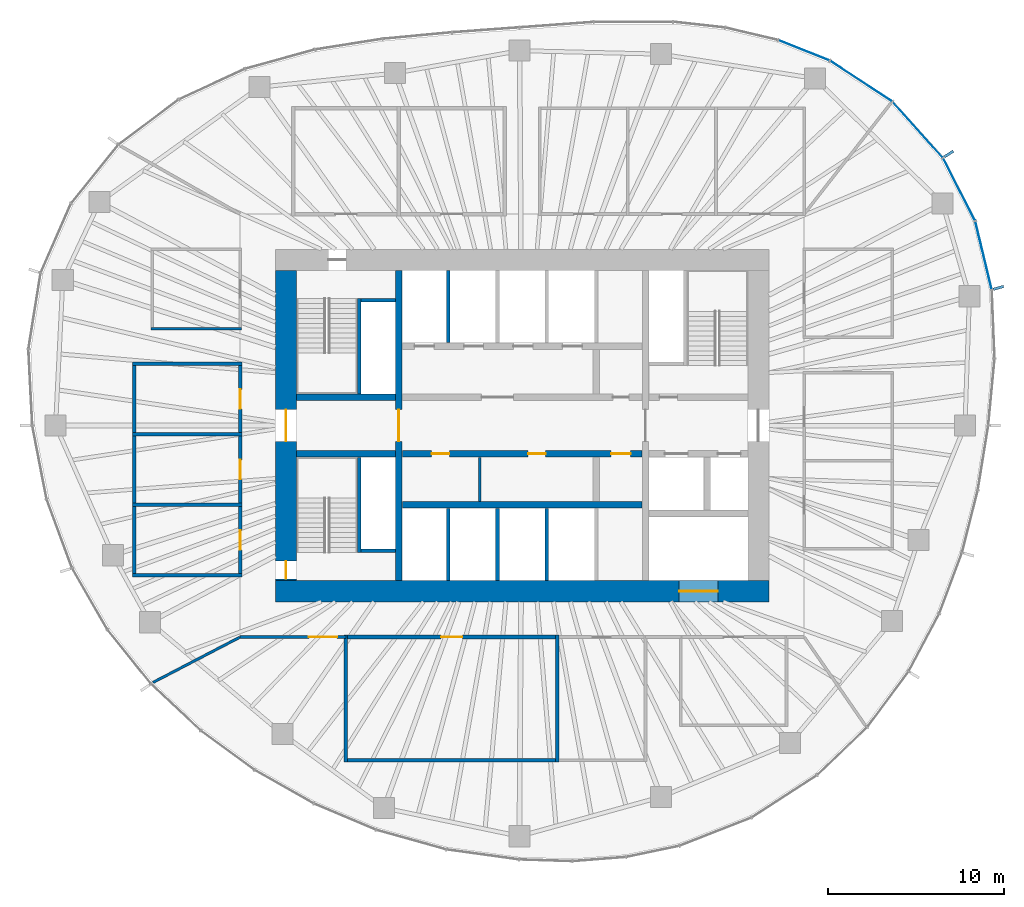
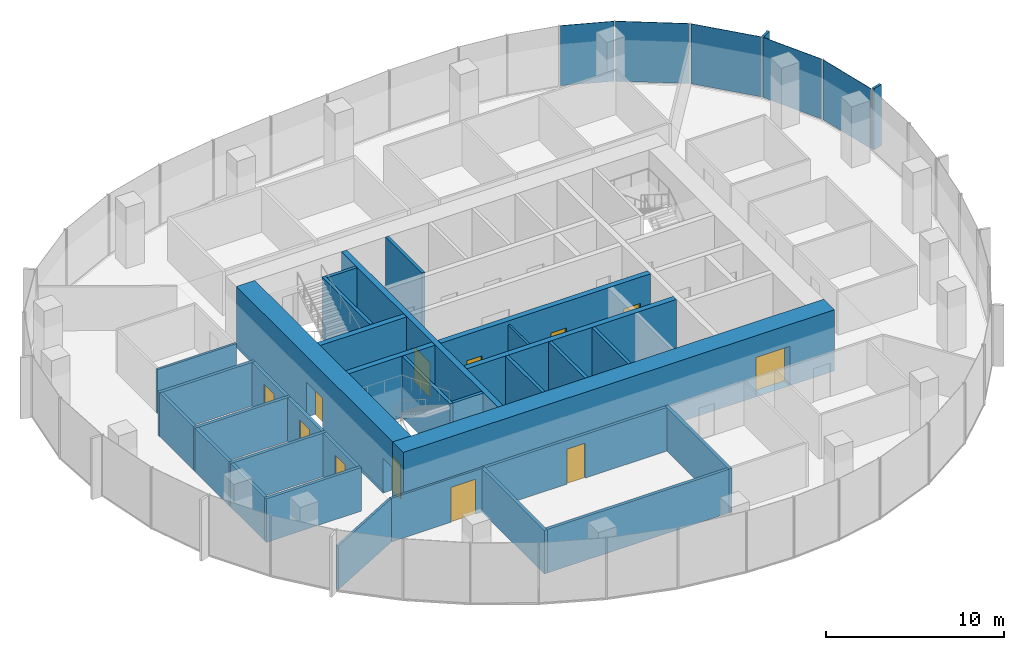
# One storey, part 8 of 11: 33 walls, 12 doors, 7 plates, 12 openings, 3 elements without a shape of their own.
"""IFC4 building model written with IfcOpenShell, lengths in metres."""

from ifc_helpers import new_model, si_unit, direction, frame, frame_2d, origin, origin_2d, place, context, subcontext, project, spatial, rectangle, extrude, material, layer, layer_set, type_object, element, fill, aggregate, save


model = new_model("IFC4")

# Units and contexts
model_context = context("Model", 3, precision=1e-05, world=origin(), true_north=direction((0.0, 1.0)))
body_context = subcontext(model_context, "Body", "Model", "MODEL_VIEW")
ifc_project = project(units=[si_unit("LENGTHUNIT", "METRE"), si_unit("AREAUNIT", "SQUARE_METRE"), si_unit("VOLUMEUNIT", "CUBIC_METRE"), si_unit("PLANEANGLEUNIT", "RADIAN"), si_unit("MASSUNIT", "GRAM", prefix="KILO")], contexts=[model_context])

# Site, building, storey
site_placement = place(None, origin())
site = spatial("IfcSite", under=ifc_project, at=site_placement, CompositionType="ELEMENT")
building_placement = place(site_placement, origin())
building = spatial("IfcBuilding", under=site, at=building_placement, Name="Ghaith Harvest Tower", CompositionType="ELEMENT")
storey_placement = place(building_placement, frame((0.0, 0.0, 241.0)))
storey = spatial("IfcBuildingStorey", under=building, at=storey_placement, Name="L53", CompositionType="ELEMENT", Elevation=241.0)

# Curtain wall, plates
ifc_material_1 = material(Name="Black anodised aluminium and fritted glass", Category="aluminium")
curtain_wall_type = type_object("IfcCurtainWallType", Name="CW-H CURTAIN WALL", PredefinedType="NOTDEFINED", material=ifc_material_1)
curtain_wall_1_placement = place(storey_placement, origin())
curtain_wall_1 = element("IfcCurtainWall", 1, at=curtain_wall_1_placement, inside=storey, type_object=curtain_wall_type, Name="Curtain wall CW-H bay 02 L53", PredefinedType="NOTDEFINED")
ifc_material_2 = material(Name="Glass, dark solar-control fritted double glazed unit", Category="glass")
ifc_layer_1 = layer(ifc_material_2, 0.030029296875)
ifc_layer_set_1 = layer_set([ifc_layer_1], Name="CW-H VISION PANEL")
plate_type_1 = type_object("IfcPlateType", Name="CW-H VISION PANEL", PredefinedType="CURTAIN_PANEL", material=ifc_layer_set_1)
plate_1_placement = place(storey_placement, frame((26.1767578125, 9.6533203125, 0.079833984375), z_axis=(0.0, 0.0, 1.0), x_axis=(-0.233894000303, 0.972262102842, 0.0)))
plate_1 = element("IfcPlate", 2, at=plate_1_placement, type_object=plate_type_1, Name="CW-H glass unit 1 bay 02 L53", PredefinedType="CURTAIN_PANEL", context=body_context, shape_type="SweptSolid", body=[
    extrude(rectangle(XDim=3.935546875, YDim=0.030029296875, at=origin_2d()), origin(), (0.0, 0.0, 1.0), 4.1201171875),
])
plate_2_placement = place(storey_placement, frame((24.790771484375, 13.399658203125, 0.079833984375), z_axis=(0.0, 0.0, 1.0), x_axis=(-0.454915320985, 0.890534699342, 0.0)))
plate_2 = element("IfcPlate", 3, at=plate_2_placement, type_object=plate_type_1, Name="CW-H glass unit 2 bay 02 L53", PredefinedType="CURTAIN_PANEL", context=body_context, shape_type="SweptSolid", body=[
    extrude(rectangle(XDim=3.949462890625, YDim=0.030029296875, at=origin_2d()), origin(), (0.0, 0.0, 1.0), 4.1201171875),
])
aggregate(curtain_wall_1, [plate_1, plate_2])

curtain_wall_2_placement = place(storey_placement, origin())
curtain_wall_2 = element("IfcCurtainWall", 4, at=curtain_wall_2_placement, inside=storey, type_object=curtain_wall_type, Name="Curtain wall CW-H bay 03 L53", PredefinedType="NOTDEFINED")
plate_3_placement = place(storey_placement, frame((22.44384765625, 16.783935546875, 0.079833984375), z_axis=(0.0, 0.0, 1.0), x_axis=(-0.668757736889, 0.743480389352, 0.0)))
plate_3 = element("IfcPlate", 5, at=plate_3_placement, type_object=plate_type_1, Name="CW-H glass unit 1 bay 03 L53", PredefinedType="CURTAIN_PANEL", context=body_context, shape_type="SweptSolid", body=[
    extrude(rectangle(XDim=4.19775390625, YDim=0.030029296875, at=origin_2d()), origin(), (0.0, 0.0, 1.0), 4.1201171875),
])
plate_4_placement = place(storey_placement, frame((19.236328125, 19.539306640625, 0.079833984375), z_axis=(0.0, 0.0, 1.0), x_axis=(-0.836276741583, 0.548307588392, 0.0)))
plate_4 = element("IfcPlate", 6, at=plate_4_placement, type_object=plate_type_1, Name="CW-H glass unit 2 bay 03 L53", PredefinedType="CURTAIN_PANEL", context=body_context, shape_type="SweptSolid", body=[
    extrude(rectangle(XDim=4.169677734375, YDim=0.030029296875, at=origin_2d()), origin(), (0.0, 0.0, 1.0), 4.1201171875),
])
aggregate(curtain_wall_2, [plate_3, plate_4])

# Curtain wall, plate
curtain_wall_3_placement = place(storey_placement, origin())
curtain_wall_3 = element("IfcCurtainWall", 7, at=curtain_wall_3_placement, inside=storey, type_object=curtain_wall_type, Name="Curtain wall CW-H bay 04 L53", PredefinedType="NOTDEFINED")
plate_5_placement = place(storey_placement, frame((15.993408203125, 21.287841796875, 0.079833984375), z_axis=(0.0, 0.0, 1.0), x_axis=(-0.929107322045, 0.369810200133, 0.0)))
plate_5 = element("IfcPlate", 8, at=plate_5_placement, type_object=plate_type_1, Name="CW-H glass unit 1 bay 04 L53", PredefinedType="CURTAIN_PANEL", context=body_context, shape_type="SweptSolid", body=[
    extrude(rectangle(XDim=3.075927734375, YDim=0.030029296875, at=origin_2d()), origin(), (0.0, 0.0, 1.0), 4.1201171875),
])
aggregate(curtain_wall_3, [plate_5])

# Plates
ifc_material_3 = material(Name="Glassfibre-reinforced concrete", Category="concrete")
ifc_layer_2 = layer(ifc_material_3, 0.14990234375)
ifc_layer_set_2 = layer_set([ifc_layer_2], Name="SUN-BREAKER FIN 600x150")
plate_type_2 = type_object("IfcPlateType", Name="SUN-BREAKER FIN 600x150", PredefinedType="USERDEFINED", material=ifc_layer_set_2)
for number, where, z_axis, x_axis, name in (
    (9, (27.03076171875, 7.8125, 0.0), (0.0, 0.0, 1.0), (0.960680349985, 0.277656739792, 0.0), "Sun-breaker fin CW-H 1 bay 02 L53"),
    (10, (24.211669921875, 15.408447265625, 0.0), (0.0, 0.0, 1.0), (0.843643971464, 0.536903016766, 0.0), "Sun-breaker fin CW-H 1 bay 03 L53"),
):
    element("IfcPlate", number, at=place(storey_placement, frame(where, z_axis=z_axis, x_axis=x_axis)), inside=storey, type_object=plate_type_2, Name=name, ObjectType="SUN-BREAKER FIN", PredefinedType="USERDEFINED", context=body_context, shape_type="SweptSolid", body=[
        extrude(rectangle(XDim=0.60009765625, YDim=0.14990234375, at=origin_2d()), origin(), (0.0, 0.0, 1.0), 4.199951171875),
    ])

# Walls
ifc_material_4 = material(Name="Twin-stud gypsum board, acoustic", Category="gypsum")
ifc_layer_3 = layer(ifc_material_4, 0.199951171875)
ifc_layer_set_3 = layer_set([ifc_layer_3], Name="ACOUSTIC PARTITION 200")
wall_type_1 = type_object("IfcWallType", Name="ACOUSTIC PARTITION 200", PredefinedType="PARTITIONING", material=ifc_layer_set_3)
for number, where, z_axis, x_axis, name in (
    (11, (-10.0, -11.89990234375, 0.0), (0.0, 0.0, 1.0), (0.0, -1.0, 0.0), "Partition L53 row S1 cross wall 1"),
    (12, (2.0, -11.89990234375, 0.0), (0.0, 0.0, 1.0), (0.0, -1.0, 0.0), "Partition L53 row S1 cross wall 2"),
):
    element("IfcWall", number, at=place(storey_placement, frame(where, z_axis=z_axis, x_axis=x_axis)), inside=storey, type_object=wall_type_1, Name=name, PredefinedType="PARTITIONING", context=body_context, shape_type="SweptSolid", body=[
        extrude(rectangle(XDim=7.2001953125, YDim=0.199951171875, at=frame_2d((3.60009765625, 0.0))), origin(), (0.0, 0.0, 1.0), 3.0),
    ])

# Wall, opening, door
wall_1_placement = place(storey_placement, frame((-9.89990234375, -12.0, 0.0), z_axis=(0.0, 0.0, 1.0), x_axis=(1.0, 0.0, 0.0)))
wall_1 = element("IfcWall", 13, at=wall_1_placement, inside=storey, type_object=wall_type_1, Name="Partition L53-01", PredefinedType="PARTITIONING", context=body_context, shape_type="SweptSolid", body=[
    extrude(rectangle(XDim=11.7998046875, YDim=0.199951171875, at=frame_2d((5.89990234375, 0.0))), origin(), (0.0, 0.0, 1.0), 3.0),
])
opening_1_placement = place(wall_1_placement, frame((5.300048828125, 0.0, 0.0)))
opening_1 = element("IfcOpeningElement", 14, at=opening_1_placement, cuts=wall_1, Name="Opening 53-020", PredefinedType="OPENING", context=body_context, shape_type="SweptSolid", body=[
    extrude(rectangle(XDim=1.199951171875, YDim=2.39990234375, at=frame_2d((0.60009765625, 1.199951171875))), frame((0.0, 0.10986328125, 0.0), z_axis=(0.0, -1.0, 0.0), x_axis=(1.0, 0.0, 0.0)), (0.0, 0.0, 1.0), 0.219970703125),
])
ifc_material_5 = material(Name="Timber door", Category="wood")
door_type_1 = type_object("IfcDoorType", Name="D11 GLAZED 1200x2400", OperationType="SINGLE_SWING_LEFT", PredefinedType="DOOR", material=ifc_material_5)
door_1_placement = place(opening_1_placement, origin())
door_1 = element("IfcDoor", 15, at=door_1_placement, inside=storey, type_object=door_type_1, Name="Photo studio door", OperationType="SINGLE_SWING_LEFT", OverallHeight=2.39990234375, OverallWidth=1.199951171875, PredefinedType="DOOR", context=body_context, shape_type="SweptSolid", body=[
    extrude(rectangle(XDim=1.199951171875, YDim=2.39990234375, at=frame_2d((0.60009765625, 1.199951171875))), frame((0.0, 0.02490234375, 0.0), z_axis=(0.0, -1.0, 0.0), x_axis=(1.0, 0.0, 0.0)), (0.0, 0.0, 1.0), 0.050048828125),
])
fill(opening_1, door_1)

# Walls
wall_2_placement = place(storey_placement, frame((-9.89990234375, -19.0, 0.0), z_axis=(0.0, 0.0, 1.0), x_axis=(1.0, 0.0, 0.0)))
element("IfcWall", 16, at=wall_2_placement, inside=storey, type_object=wall_type_1, Name="Partition L53-01", PredefinedType="PARTITIONING", context=body_context, shape_type="SweptSolid", body=[
    extrude(rectangle(XDim=11.7998046875, YDim=0.199951171875, at=frame_2d((5.89990234375, 0.0))), origin(), (0.0, 0.0, 1.0), 3.0),
])
for number, where, z_axis, x_axis, name in (
    (17, (-15.89990234375, -8.5, 0.0), (0.0, 0.0, 1.0), (-1.0, 0.0, 0.0), "Partition L53 row W2 cross wall 1"),
    (18, (-15.89990234375, -4.5, 0.0), (0.0, 0.0, 1.0), (-1.0, 0.0, 0.0), "Partition L53 row W2 cross wall 2"),
    (19, (-15.89990234375, -0.5, 0.0), (0.0, 0.0, 1.0), (-1.0, 0.0, 0.0), "Partition L53 row W2 cross wall 3"),
    (20, (-15.89990234375, 3.5, 0.0), (0.0, 0.0, 1.0), (-1.0, 0.0, 0.0), "Partition L53 row W2 cross wall 4"),
):
    element("IfcWall", number, at=place(storey_placement, frame(where, z_axis=z_axis, x_axis=x_axis)), inside=storey, type_object=wall_type_1, Name=name, PredefinedType="PARTITIONING", context=body_context, shape_type="SweptSolid", body=[
        extrude(rectangle(XDim=6.2001953125, YDim=0.199951171875, at=frame_2d((3.10009765625, 0.0))), origin(), (0.0, 0.0, 1.0), 3.0),
    ])

# Wall, opening, door
wall_3_placement = place(storey_placement, frame((-16.0, -8.39990234375, 0.0), z_axis=(0.0, 0.0, 1.0), x_axis=(0.0, 1.0, 0.0)))
wall_3 = element("IfcWall", 21, at=wall_3_placement, inside=storey, type_object=wall_type_1, Name="Partition L53-03", PredefinedType="PARTITIONING", context=body_context, shape_type="SweptSolid", body=[
    extrude(rectangle(XDim=3.7998046875, YDim=0.199951171875, at=frame_2d((1.89990234375, 0.0))), origin(), (0.0, 0.0, 1.0), 3.0),
])
opening_2_placement = place(wall_3_placement, frame((1.35009765625, 0.0, 0.0)))
opening_2 = element("IfcOpeningElement", 22, at=opening_2_placement, cuts=wall_3, Name="Opening 53-022", PredefinedType="OPENING", context=body_context, shape_type="SweptSolid", body=[
    extrude(rectangle(XDim=1.10009765625, YDim=2.300048828125, at=frame_2d((0.550048828125, 1.14990234375))), frame((0.0, 0.10986328125, 0.0), z_axis=(0.0, -1.0, 0.0), x_axis=(1.0, 0.0, 0.0)), (0.0, 0.0, 1.0), 0.219970703125),
])
ifc_material_6 = material(Name="Timber-framed glazed door", Category="wood")
door_type_2 = type_object("IfcDoorType", Name="D12 GLAZED OFFICE 1100x2300", OperationType="SINGLE_SWING_LEFT", PredefinedType="DOOR", material=ifc_material_6)
door_2_placement = place(opening_2_placement, origin())
door_2 = element("IfcDoor", 23, at=door_2_placement, inside=storey, type_object=door_type_2, Name="Editing room door", OperationType="SINGLE_SWING_LEFT", OverallHeight=2.300048828125, OverallWidth=1.10009765625, PredefinedType="DOOR", context=body_context, shape_type="SweptSolid", body=[
    extrude(rectangle(XDim=1.10009765625, YDim=2.300048828125, at=frame_2d((0.550048828125, 1.14990234375))), frame((0.0, 0.02490234375, 0.0), z_axis=(0.0, -1.0, 0.0), x_axis=(1.0, 0.0, 0.0)), (0.0, 0.0, 1.0), 0.050048828125),
])
fill(opening_2, door_2)

# Wall
wall_4_placement = place(storey_placement, frame((-22.0, -8.39990234375, 0.0), z_axis=(0.0, 0.0, 1.0), x_axis=(0.0, 1.0, 0.0)))
element("IfcWall", 24, at=wall_4_placement, inside=storey, type_object=wall_type_1, Name="Partition L53-03", PredefinedType="PARTITIONING", context=body_context, shape_type="SweptSolid", body=[
    extrude(rectangle(XDim=3.7998046875, YDim=0.199951171875, at=frame_2d((1.89990234375, 0.0))), origin(), (0.0, 0.0, 1.0), 3.0),
])

# Wall, opening, door
wall_5_placement = place(storey_placement, frame((-16.0, -4.39990234375, 0.0), z_axis=(0.0, 0.0, 1.0), x_axis=(0.0, 1.0, 0.0)))
wall_5 = element("IfcWall", 25, at=wall_5_placement, inside=storey, type_object=wall_type_1, Name="Partition L53-04", PredefinedType="PARTITIONING", context=body_context, shape_type="SweptSolid", body=[
    extrude(rectangle(XDim=3.7998046875, YDim=0.199951171875, at=frame_2d((1.89990234375, 0.0))), origin(), (0.0, 0.0, 1.0), 3.0),
])
opening_3_placement = place(wall_5_placement, frame((1.35009765625, 0.0, 0.0)))
opening_3 = element("IfcOpeningElement", 26, at=opening_3_placement, cuts=wall_5, Name="Opening 53-023", PredefinedType="OPENING", context=body_context, shape_type="SweptSolid", body=[
    extrude(rectangle(XDim=1.10009765625, YDim=2.300048828125, at=frame_2d((0.550048828125, 1.14990234375))), frame((0.0, 0.10986328125, 0.0), z_axis=(0.0, -1.0, 0.0), x_axis=(1.0, 0.0, 0.0)), (0.0, 0.0, 1.0), 0.219970703125),
])
door_3_placement = place(opening_3_placement, origin())
door_3 = element("IfcDoor", 27, at=door_3_placement, inside=storey, type_object=door_type_2, Name="Editing room door", OperationType="SINGLE_SWING_LEFT", OverallHeight=2.300048828125, OverallWidth=1.10009765625, PredefinedType="DOOR", context=body_context, shape_type="SweptSolid", body=[
    extrude(rectangle(XDim=1.10009765625, YDim=2.300048828125, at=frame_2d((0.550048828125, 1.14990234375))), frame((0.0, 0.02490234375, 0.0), z_axis=(0.0, -1.0, 0.0), x_axis=(1.0, 0.0, 0.0)), (0.0, 0.0, 1.0), 0.050048828125),
])
fill(opening_3, door_3)

# Wall
wall_6_placement = place(storey_placement, frame((-22.0, -4.39990234375, 0.0), z_axis=(0.0, 0.0, 1.0), x_axis=(0.0, 1.0, 0.0)))
element("IfcWall", 28, at=wall_6_placement, inside=storey, type_object=wall_type_1, Name="Partition L53-04", PredefinedType="PARTITIONING", context=body_context, shape_type="SweptSolid", body=[
    extrude(rectangle(XDim=3.7998046875, YDim=0.199951171875, at=frame_2d((1.89990234375, 0.0))), origin(), (0.0, 0.0, 1.0), 3.0),
])

# Wall, opening, door
wall_7_placement = place(storey_placement, frame((-16.0, -0.39990234375, 0.0), z_axis=(0.0, 0.0, 1.0), x_axis=(0.0, 1.0, 0.0)))
wall_7 = element("IfcWall", 29, at=wall_7_placement, inside=storey, type_object=wall_type_1, Name="Partition L53-05", PredefinedType="PARTITIONING", context=body_context, shape_type="SweptSolid", body=[
    extrude(rectangle(XDim=3.7998046875, YDim=0.199951171875, at=frame_2d((1.89990234375, 0.0))), origin(), (0.0, 0.0, 1.0), 3.0),
])
opening_4_placement = place(wall_7_placement, frame((1.35009765625, 0.0, 0.0)))
opening_4 = element("IfcOpeningElement", 30, at=opening_4_placement, cuts=wall_7, Name="Opening 53-024", PredefinedType="OPENING", context=body_context, shape_type="SweptSolid", body=[
    extrude(rectangle(XDim=1.10009765625, YDim=2.300048828125, at=frame_2d((0.550048828125, 1.14990234375))), frame((0.0, 0.10986328125, 0.0), z_axis=(0.0, -1.0, 0.0), x_axis=(1.0, 0.0, 0.0)), (0.0, 0.0, 1.0), 0.219970703125),
])
door_4_placement = place(opening_4_placement, origin())
door_4 = element("IfcDoor", 31, at=door_4_placement, inside=storey, type_object=door_type_2, Name="Editing room door", OperationType="SINGLE_SWING_LEFT", OverallHeight=2.300048828125, OverallWidth=1.10009765625, PredefinedType="DOOR", context=body_context, shape_type="SweptSolid", body=[
    extrude(rectangle(XDim=1.10009765625, YDim=2.300048828125, at=frame_2d((0.550048828125, 1.14990234375))), frame((0.0, 0.02490234375, 0.0), z_axis=(0.0, -1.0, 0.0), x_axis=(1.0, 0.0, 0.0)), (0.0, 0.0, 1.0), 0.050048828125),
])
fill(opening_4, door_4)

# Walls
wall_8_placement = place(storey_placement, frame((-22.0, -0.39990234375, 0.0), z_axis=(0.0, 0.0, 1.0), x_axis=(0.0, 1.0, 0.0)))
element("IfcWall", 32, at=wall_8_placement, inside=storey, type_object=wall_type_1, Name="Partition L53-05", PredefinedType="PARTITIONING", context=body_context, shape_type="SweptSolid", body=[
    extrude(rectangle(XDim=3.7998046875, YDim=0.199951171875, at=frame_2d((1.89990234375, 0.0))), origin(), (0.0, 0.0, 1.0), 3.0),
])
ifc_material_7 = material(Name="Concrete blockwork, fair-faced", Category="masonry")
ifc_layer_4 = layer(ifc_material_7, 0.139892578125)
ifc_layer_set_4 = layer_set([ifc_layer_4], Name="CORE PARTITION 140")
wall_type_2 = type_object("IfcWallType", Name="CORE PARTITION 140", PredefinedType="PARTITIONING", material=ifc_layer_set_4)
wall_9_placement = place(storey_placement, frame((-2.39990234375, -1.800048828125, 0.0), z_axis=(0.0, 0.0, 1.0), x_axis=(0.0, -1.0, 0.0)))
element("IfcWall", 33, at=wall_9_placement, inside=storey, type_object=wall_type_2, Name="Core partition L53", PredefinedType="PARTITIONING", context=body_context, shape_type="SweptSolid", body=[
    extrude(rectangle(XDim=2.5, YDim=0.139892578125, at=frame_2d((1.25, 0.0))), origin(), (0.0, 0.0, 1.0), 3.949951171875),
])

# Wall, opening, door
ifc_material_8 = material(Name="Concrete C60/75", Category="concrete")
ifc_layer_5 = layer(ifc_material_8, 1.199951171875)
ifc_layer_set_5 = layer_set([ifc_layer_5], Name="CORE WALL CW1200 C60")
wall_type_3 = type_object("IfcWallType", Name="CORE WALL CW1200 C60", PredefinedType="SHEAR", material=ifc_layer_set_5)
wall_10_placement = place(storey_placement, frame((-14.0, -9.39990234375, 0.0), z_axis=(0.0, 0.0, 1.0), x_axis=(1.0, 0.0, 0.0)))
wall_10 = element("IfcWall", 34, at=wall_10_placement, inside=storey, type_object=wall_type_3, Name="Core wall S L53", PredefinedType="SHEAR", context=body_context, shape_type="SweptSolid", body=[
    extrude(rectangle(XDim=28.0, YDim=1.199951171875, at=frame_2d((14.0, 0.0))), origin(), (0.0, 0.0, 1.0), 4.199951171875),
])
opening_5_placement = place(wall_10_placement, frame((22.89990234375, 0.0, 0.0)))
opening_5 = element("IfcOpeningElement", 35, at=opening_5_placement, cuts=wall_10, Name="Opening 53-019", PredefinedType="OPENING", context=body_context, shape_type="SweptSolid", body=[
    extrude(rectangle(XDim=2.199951171875, YDim=2.699951171875, at=frame_2d((1.10009765625, 1.35009765625))), frame((0.0, 0.60986328125, 0.0), z_axis=(0.0, -1.0, 0.0), x_axis=(1.0, 0.0, 0.0)), (0.0, 0.0, 1.0), 1.219970703125),
])
ifc_material_9 = material(Name="Steel fire door", Category="steel")
door_type_3 = type_object("IfcDoorType", Name="LD3 LANDING 2200x2700", OperationType="DOUBLE_DOOR_SLIDING", PredefinedType="DOOR", material=ifc_material_9)
door_5_placement = place(opening_5_placement, origin())
door_5 = element("IfcDoor", 36, at=door_5_placement, inside=storey, type_object=door_type_3, Name="Landing door, goods lift GL1", OperationType="DOUBLE_DOOR_SLIDING", OverallHeight=2.699951171875, OverallWidth=2.199951171875, PredefinedType="DOOR", context=body_context, shape_type="SweptSolid", body=[
    extrude(rectangle(XDim=2.199951171875, YDim=2.699951171875, at=frame_2d((1.10009765625, 1.35009765625))), frame((0.0, 0.02490234375, 0.0), z_axis=(0.0, -1.0, 0.0), x_axis=(1.0, 0.0, 0.0)), (0.0, 0.0, 1.0), 0.050048828125),
])
fill(opening_5, door_5)

# Wall, openings, doors
wall_11_placement = place(storey_placement, frame((-13.39990234375, 8.800048828125, 0.0), z_axis=(0.0, 0.0, 1.0), x_axis=(0.0, -1.0, 0.0)))
wall_11 = element("IfcWall", 37, at=wall_11_placement, inside=storey, type_object=wall_type_3, Name="Core wall W L53", PredefinedType="SHEAR", context=body_context, shape_type="SweptSolid", body=[
    extrude(rectangle(XDim=17.60009765625, YDim=1.199951171875, at=frame_2d((8.800048828125, 0.0))), origin(), (0.0, 0.0, 1.0), 4.199951171875),
])
opening_6_placement = place(wall_11_placement, frame((7.89990234375, 0.0, 0.0)))
opening_6 = element("IfcOpeningElement", 38, at=opening_6_placement, cuts=wall_11, Name="Opening 53-001", PredefinedType="OPENING", context=body_context, shape_type="SweptSolid", body=[
    extrude(rectangle(XDim=1.800048828125, YDim=2.39990234375, at=frame_2d((0.89990234375, 1.199951171875))), frame((0.0, 0.60986328125, 0.0), z_axis=(0.0, -1.0, 0.0), x_axis=(1.0, 0.0, 0.0)), (0.0, 0.0, 1.0), 1.219970703125),
])
opening_7_placement = place(wall_11_placement, frame((16.5, 0.0, 0.0)))
opening_7 = element("IfcOpeningElement", 39, at=opening_7_placement, cuts=wall_11, Name="Opening 53-006", PredefinedType="OPENING", context=body_context, shape_type="SweptSolid", body=[
    extrude(rectangle(XDim=1.0, YDim=2.39990234375, at=frame_2d((0.5, 1.199951171875))), frame((0.0, 0.60986328125, 0.0), z_axis=(0.0, -1.0, 0.0), x_axis=(1.0, 0.0, 0.0)), (0.0, 0.0, 1.0), 1.219970703125),
])
ifc_material_10 = material(Name="Steel fire door", Category="steel")
door_type_4 = type_object("IfcDoorType", Name="D3 FD90 1000x2400", OperationType="SINGLE_SWING_LEFT", PredefinedType="DOOR", material=ifc_material_10)
door_6_placement = place(opening_7_placement, origin())
door_6 = element("IfcDoor", 40, at=door_6_placement, inside=storey, type_object=door_type_4, Name="Stair ST3 door", OperationType="SINGLE_SWING_RIGHT", OverallHeight=2.39990234375, OverallWidth=1.0, PredefinedType="DOOR", context=body_context, shape_type="SweptSolid", body=[
    extrude(rectangle(XDim=1.0, YDim=2.39990234375, at=frame_2d((0.5, 1.199951171875))), frame((0.0, 0.02490234375, 0.0), z_axis=(0.0, -1.0, 0.0), x_axis=(1.0, 0.0, 0.0)), (0.0, 0.0, 1.0), 0.050048828125),
])
fill(opening_7, door_6)
ifc_material_11 = material(Name="Steel fire door", Category="steel")
door_type_5 = type_object("IfcDoorType", Name="D4 FD90 PAIR 1800x2400", OperationType="DOUBLE_DOOR_SINGLE_SWING", PredefinedType="DOOR", material=ifc_material_11)
door_7_placement = place(opening_6_placement, origin())
door_7 = element("IfcDoor", 41, at=door_7_placement, inside=storey, type_object=door_type_5, Name="West lobby doors", OperationType="DOUBLE_DOOR_SINGLE_SWING", OverallHeight=2.39990234375, OverallWidth=1.800048828125, PredefinedType="DOOR", context=body_context, shape_type="SweptSolid", body=[
    extrude(rectangle(XDim=1.800048828125, YDim=2.39990234375, at=frame_2d((0.89990234375, 1.199951171875))), frame((0.0, 0.02490234375, 0.0), z_axis=(0.0, -1.0, 0.0), x_axis=(1.0, 0.0, 0.0)), (0.0, 0.0, 1.0), 0.050048828125),
])
fill(opening_6, door_7)

# Walls
ifc_material_12 = material(Name="Concrete blockwork, 2-hour", Category="masonry")
ifc_layer_6 = layer(ifc_material_12, 0.199951171875)
ifc_layer_set_6 = layer_set([ifc_layer_6], Name="LIFT SHAFT WALL 200")
wall_type_4 = type_object("IfcWallType", Name="LIFT SHAFT WALL 200", PredefinedType="PARTITIONING", material=ifc_layer_set_6)
for number, where, z_axis, x_axis, name in (
    (42, (-4.199951171875, 4.699951171875, 0.0), (0.0, 0.0, 1.0), (0.0, 1.0, 0.0), "Lift shaft wall L53"),
    (43, (-4.199951171875, -4.699951171875, 0.0), (0.0, 0.0, 1.0), (0.0, -1.0, 0.0), "Lift shaft wall L53"),
    (44, (-1.39990234375, -4.699951171875, 0.0), (0.0, 0.0, 1.0), (0.0, -1.0, 0.0), "Lift shaft wall L53"),
    (45, (1.39990234375, -4.699951171875, 0.0), (0.0, 0.0, 1.0), (0.0, -1.0, 0.0), "Lift shaft wall L53"),
):
    element("IfcWall", number, at=place(storey_placement, frame(where, z_axis=z_axis, x_axis=x_axis)), inside=storey, type_object=wall_type_4, Name=name, PredefinedType="PARTITIONING", context=body_context, shape_type="SweptSolid", body=[
        extrude(rectangle(XDim=4.10009765625, YDim=0.199951171875, at=frame_2d((2.050048828125, 0.0))), origin(), (0.0, 0.0, 1.0), 4.199951171875),
    ])
ifc_material_13 = material(Name="Gypsum board on steel studs", Category="steel")
ifc_layer_7 = layer(ifc_material_13, 0.14990234375)
ifc_layer_set_7 = layer_set([ifc_layer_7], Name="PARTITION 150")
wall_type_5 = type_object("IfcWallType", Name="PARTITION 150", PredefinedType="PARTITIONING", material=ifc_layer_set_7)
wall_12_placement = place(storey_placement, frame((-15.925048828125, 5.5, 0.0), z_axis=(0.0, 0.0, 1.0), x_axis=(-1.0, 0.0, 0.0)))
element("IfcWall", 46, at=wall_12_placement, inside=storey, type_object=wall_type_5, Name="Partition L53 row W8 cross wall 1", PredefinedType="PARTITIONING", context=body_context, shape_type="SweptSolid", body=[
    extrude(rectangle(XDim=5.14990234375, YDim=0.14990234375, at=frame_2d((2.574951171875, 0.0))), origin(), (0.0, 0.0, 1.0), 3.0),
])
wall_13_placement = place(storey_placement, frame((-16.017578125, -12.00927734375, 0.0), z_axis=(0.0, 0.0, 1.0), x_axis=(-0.886831549241, -0.462092851351, 0.0)))
element("IfcWall", 47, at=wall_13_placement, inside=storey, type_object=wall_type_5, Name="Partition L53 zone division", PredefinedType="PARTITIONING", context=body_context, shape_type="SweptSolid", body=[
    extrude(rectangle(XDim=5.555419921875, YDim=0.14990234375, at=frame_2d((2.77783203125, 0.0))), origin(), (0.0, 0.0, 1.0), 3.0),
])

# Wall, opening, door
wall_14_placement = place(storey_placement, frame((-16.0, -12.0, 0.0), z_axis=(0.0, 0.0, 1.0), x_axis=(1.0, 0.0, 0.0)))
wall_14 = element("IfcWall", 48, at=wall_14_placement, inside=storey, type_object=wall_type_5, Name="Partition L53 zone enclosure", PredefinedType="PARTITIONING", context=body_context, shape_type="SweptSolid", body=[
    extrude(rectangle(XDim=6.0, YDim=0.14990234375, at=frame_2d((3.0, 0.0))), origin(), (0.0, 0.0, 1.0), 3.0),
])
opening_8_placement = place(wall_14_placement, frame((3.89990234375, 0.0, 0.0)))
opening_8 = element("IfcOpeningElement", 49, at=opening_8_placement, cuts=wall_14, Name="Opening 53-035", PredefinedType="OPENING", context=body_context, shape_type="SweptSolid", body=[
    extrude(rectangle(XDim=1.60009765625, YDim=2.39990234375, at=frame_2d((0.800048828125, 1.199951171875))), frame((0.0, 0.0849609375, 0.0), z_axis=(0.0, -1.0, 0.0), x_axis=(1.0, 0.0, 0.0)), (0.0, 0.0, 1.0), 0.169921875),
])
ifc_material_14 = material(Name="Timber door", Category="wood")
door_type_6 = type_object("IfcDoorType", Name="D2 PAIR 1600x2400", OperationType="DOUBLE_DOOR_SINGLE_SWING", PredefinedType="DOOR", material=ifc_material_14)
door_8_placement = place(opening_8_placement, origin())
door_8 = element("IfcDoor", 50, at=door_8_placement, inside=storey, type_object=door_type_6, Name="Media workplace south door", OperationType="DOUBLE_DOOR_SINGLE_SWING", OverallHeight=2.39990234375, OverallWidth=1.60009765625, PredefinedType="DOOR", context=body_context, shape_type="SweptSolid", body=[
    extrude(rectangle(XDim=1.60009765625, YDim=2.39990234375, at=frame_2d((0.800048828125, 1.199951171875))), frame((0.0, 0.02490234375, 0.0), z_axis=(0.0, -1.0, 0.0), x_axis=(1.0, 0.0, 0.0)), (0.0, 0.0, 1.0), 0.050048828125),
])
fill(opening_8, door_8)

ifc_material_15 = material(Name="Concrete C60/75", Category="concrete")
ifc_layer_8 = layer(ifc_material_15, 0.35009765625)
ifc_layer_set_8 = layer_set([ifc_layer_8], Name="SHAFT WALL 350")
wall_type_6 = type_object("IfcWallType", Name="SHAFT WALL 350", PredefinedType="SHEAR", material=ifc_layer_set_8)
wall_15_placement = place(storey_placement, frame((-7.0, -8.800048828125, 0.0), z_axis=(0.0, 0.0, 1.0), x_axis=(0.0, 1.0, 0.0)))
wall_15 = element("IfcWall", 51, at=wall_15_placement, inside=storey, type_object=wall_type_6, Name="Shaft wall W7W L53", PredefinedType="SHEAR", context=body_context, shape_type="SweptSolid", body=[
    extrude(rectangle(XDim=17.60009765625, YDim=0.35009765625, at=frame_2d((8.800048828125, 0.0))), origin(), (0.0, 0.0, 1.0), 4.199951171875),
])
opening_9_placement = place(wall_15_placement, frame((7.89990234375, 0.0, 0.0)))
opening_9 = element("IfcOpeningElement", 52, at=opening_9_placement, cuts=wall_15, Name="Opening 53-003", PredefinedType="OPENING", context=body_context, shape_type="SweptSolid", body=[
    extrude(rectangle(XDim=1.800048828125, YDim=2.39990234375, at=frame_2d((0.89990234375, 1.199951171875))), frame((0.0, 0.18505859375, 0.0), z_axis=(0.0, -1.0, 0.0), x_axis=(1.0, 0.0, 0.0)), (0.0, 0.0, 1.0), 0.3701171875),
])
door_9_placement = place(opening_9_placement, origin())
door_9 = element("IfcDoor", 53, at=door_9_placement, inside=storey, type_object=door_type_5, Name="Lift lobby doors, west", OperationType="DOUBLE_DOOR_SINGLE_SWING", OverallHeight=2.39990234375, OverallWidth=1.800048828125, PredefinedType="DOOR", context=body_context, shape_type="SweptSolid", body=[
    extrude(rectangle(XDim=1.800048828125, YDim=2.39990234375, at=frame_2d((0.89990234375, 1.199951171875))), frame((0.0, 0.02490234375, 0.0), z_axis=(0.0, -1.0, 0.0), x_axis=(1.0, 0.0, 0.0)), (0.0, 0.0, 1.0), 0.050048828125),
])
fill(opening_9, door_9)

# Wall, openings, doors
wall_16_placement = place(storey_placement, frame((-6.800048828125, -1.60009765625, 0.0), z_axis=(0.0, 0.0, 1.0), x_axis=(1.0, 0.0, 0.0)))
wall_16 = element("IfcWall", 54, at=wall_16_placement, inside=storey, type_object=wall_type_6, Name="Shaft wall LS L53", PredefinedType="SHEAR", context=body_context, shape_type="SweptSolid", body=[
    extrude(rectangle(XDim=13.60009765625, YDim=0.35009765625, at=frame_2d((6.800048828125, 0.0))), origin(), (0.0, 0.0, 1.0), 4.199951171875),
])
opening_10_placement = place(wall_16_placement, frame((1.6650390625, 0.0, 0.0)))
opening_10 = element("IfcOpeningElement", 55, at=opening_10_placement, cuts=wall_16, Name="Opening 53-008", PredefinedType="OPENING", context=body_context, shape_type="SweptSolid", body=[
    extrude(rectangle(XDim=1.0, YDim=2.39990234375, at=frame_2d((0.5, 1.199951171875))), frame((0.0, 0.18505859375, 0.0), z_axis=(0.0, -1.0, 0.0), x_axis=(1.0, 0.0, 0.0)), (0.0, 0.0, 1.0), 0.3701171875),
])
opening_11_placement = place(wall_16_placement, frame((7.135009765625, 0.0, 0.0)))
opening_11 = element("IfcOpeningElement", 56, at=opening_11_placement, cuts=wall_16, Name="Opening 53-009", PredefinedType="OPENING", context=body_context, shape_type="SweptSolid", body=[
    extrude(rectangle(XDim=1.0, YDim=2.39990234375, at=frame_2d((0.5, 1.199951171875))), frame((0.0, 0.18505859375, 0.0), z_axis=(0.0, -1.0, 0.0), x_axis=(1.0, 0.0, 0.0)), (0.0, 0.0, 1.0), 0.3701171875),
])
opening_12_placement = place(wall_16_placement, frame((11.85009765625, 0.0, 0.0)))
opening_12 = element("IfcOpeningElement", 57, at=opening_12_placement, cuts=wall_16, Name="Opening 53-011", PredefinedType="OPENING", context=body_context, shape_type="SweptSolid", body=[
    extrude(rectangle(XDim=1.10009765625, YDim=2.39990234375, at=frame_2d((0.550048828125, 1.199951171875))), frame((0.0, 0.18505859375, 0.0), z_axis=(0.0, -1.0, 0.0), x_axis=(1.0, 0.0, 0.0)), (0.0, 0.0, 1.0), 0.3701171875),
])
door_10_placement = place(opening_10_placement, origin())
door_10 = element("IfcDoor", 58, at=door_10_placement, inside=storey, type_object=door_type_4, Name="Male WC door", OperationType="SINGLE_SWING_LEFT", OverallHeight=2.39990234375, OverallWidth=1.0, PredefinedType="DOOR", context=body_context, shape_type="SweptSolid", body=[
    extrude(rectangle(XDim=1.0, YDim=2.39990234375, at=frame_2d((0.5, 1.199951171875))), frame((0.0, 0.02490234375, 0.0), z_axis=(0.0, -1.0, 0.0), x_axis=(1.0, 0.0, 0.0)), (0.0, 0.0, 1.0), 0.050048828125),
])
fill(opening_10, door_10)
door_11_placement = place(opening_11_placement, origin())
door_11 = element("IfcDoor", 59, at=door_11_placement, inside=storey, type_object=door_type_4, Name="Female WC door", OperationType="SINGLE_SWING_RIGHT", OverallHeight=2.39990234375, OverallWidth=1.0, PredefinedType="DOOR", context=body_context, shape_type="SweptSolid", body=[
    extrude(rectangle(XDim=1.0, YDim=2.39990234375, at=frame_2d((0.5, 1.199951171875))), frame((0.0, 0.02490234375, 0.0), z_axis=(0.0, -1.0, 0.0), x_axis=(1.0, 0.0, 0.0)), (0.0, 0.0, 1.0), 0.050048828125),
])
fill(opening_11, door_11)
ifc_material_16 = material(Name="Steel fire door", Category="steel")
door_type_7 = type_object("IfcDoorType", Name="D9 FD90 1100x2400", OperationType="SINGLE_SWING_LEFT", PredefinedType="DOOR", material=ifc_material_16)
door_12_placement = place(opening_12_placement, origin())
door_12 = element("IfcDoor", 60, at=door_12_placement, inside=storey, type_object=door_type_7, Name="Accessible WC door", OperationType="SINGLE_SWING_RIGHT", OverallHeight=2.39990234375, OverallWidth=1.10009765625, PredefinedType="DOOR", context=body_context, shape_type="SweptSolid", body=[
    extrude(rectangle(XDim=1.10009765625, YDim=2.39990234375, at=frame_2d((0.550048828125, 1.199951171875))), frame((0.0, 0.02490234375, 0.0), z_axis=(0.0, -1.0, 0.0), x_axis=(1.0, 0.0, 0.0)), (0.0, 0.0, 1.0), 0.050048828125),
])
fill(opening_12, door_12)

# Walls
wall_17_placement = place(storey_placement, frame((-6.800048828125, -4.5, 0.0), z_axis=(0.0, 0.0, 1.0), x_axis=(1.0, 0.0, 0.0)))
element("IfcWall", 61, at=wall_17_placement, inside=storey, type_object=wall_type_6, Name="Shaft wall BS L53", PredefinedType="SHEAR", context=body_context, shape_type="SweptSolid", body=[
    extrude(rectangle(XDim=13.60009765625, YDim=0.35009765625, at=frame_2d((6.800048828125, 0.0))), origin(), (0.0, 0.0, 1.0), 4.199951171875),
])
for number, where, z_axis, x_axis, name in (
    (62, (-12.800048828125, 1.60009765625, 0.0), (0.0, 0.0, 1.0), (1.0, 0.0, 0.0), "Shaft wall WN L53"),
    (63, (-12.800048828125, -1.60009765625, 0.0), (0.0, 0.0, 1.0), (1.0, 0.0, 0.0), "Shaft wall WS L53"),
):
    element("IfcWall", number, at=place(storey_placement, frame(where, z_axis=z_axis, x_axis=x_axis)), inside=storey, type_object=wall_type_6, Name=name, PredefinedType="SHEAR", context=body_context, shape_type="SweptSolid", body=[
        extrude(rectangle(XDim=5.60009765625, YDim=0.35009765625, at=frame_2d((2.800048828125, 0.0))), origin(), (0.0, 0.0, 1.0), 4.199951171875),
    ])
ifc_material_17 = material(Name="Concrete C40/50", Category="concrete")
ifc_layer_9 = layer(ifc_material_17, 0.199951171875)
ifc_layer_set_9 = layer_set([ifc_layer_9], Name="STAIR SPINE WALL RC200")
wall_type_7 = type_object("IfcWallType", Name="STAIR SPINE WALL RC200", PredefinedType="SOLIDWALL", material=ifc_layer_set_9)
wall_18_placement = place(storey_placement, frame((-9.25, 7.199951171875, 0.0), z_axis=(0.0, 0.0, 1.0), x_axis=(0.0, -1.0, 0.0)))
element("IfcWall", 64, at=wall_18_placement, inside=storey, type_object=wall_type_7, Name="Stair ST1 spine wall L53", PredefinedType="SOLIDWALL", context=body_context, shape_type="SweptSolid", body=[
    extrude(rectangle(XDim=5.39990234375, YDim=0.199951171875, at=frame_2d((2.699951171875, 0.0))), origin(), (0.0, 0.0, 1.0), 4.199951171875),
])
wall_19_placement = place(storey_placement, frame((-9.14990234375, 7.10009765625, 0.0), z_axis=(0.0, 0.0, 1.0), x_axis=(1.0, 0.0, 0.0)))
element("IfcWall", 65, at=wall_19_placement, inside=storey, type_object=wall_type_7, Name="Stair ST1 spine wall return L53", PredefinedType="SOLIDWALL", context=body_context, shape_type="SweptSolid", body=[
    extrude(rectangle(XDim=1.949951171875, YDim=0.199951171875, at=frame_2d((0.97509765625, 0.0))), origin(), (0.0, 0.0, 1.0), 4.199951171875),
])
wall_20_placement = place(storey_placement, frame((-9.25, -7.199951171875, 0.0), z_axis=(0.0, 0.0, 1.0), x_axis=(0.0, 1.0, 0.0)))
element("IfcWall", 66, at=wall_20_placement, inside=storey, type_object=wall_type_7, Name="Stair ST3 spine wall L53", PredefinedType="SOLIDWALL", context=body_context, shape_type="SweptSolid", body=[
    extrude(rectangle(XDim=5.39990234375, YDim=0.199951171875, at=frame_2d((2.699951171875, 0.0))), origin(), (0.0, 0.0, 1.0), 4.199951171875),
])
wall_21_placement = place(storey_placement, frame((-9.14990234375, -7.10009765625, 0.0), z_axis=(0.0, 0.0, 1.0), x_axis=(1.0, 0.0, 0.0)))
element("IfcWall", 67, at=wall_21_placement, inside=storey, type_object=wall_type_7, Name="Stair ST3 spine wall return L53", PredefinedType="SOLIDWALL", context=body_context, shape_type="SweptSolid", body=[
    extrude(rectangle(XDim=1.949951171875, YDim=0.199951171875, at=frame_2d((0.97509765625, 0.0))), origin(), (0.0, 0.0, 1.0), 4.199951171875),
])

save(model, "model.ifc")
